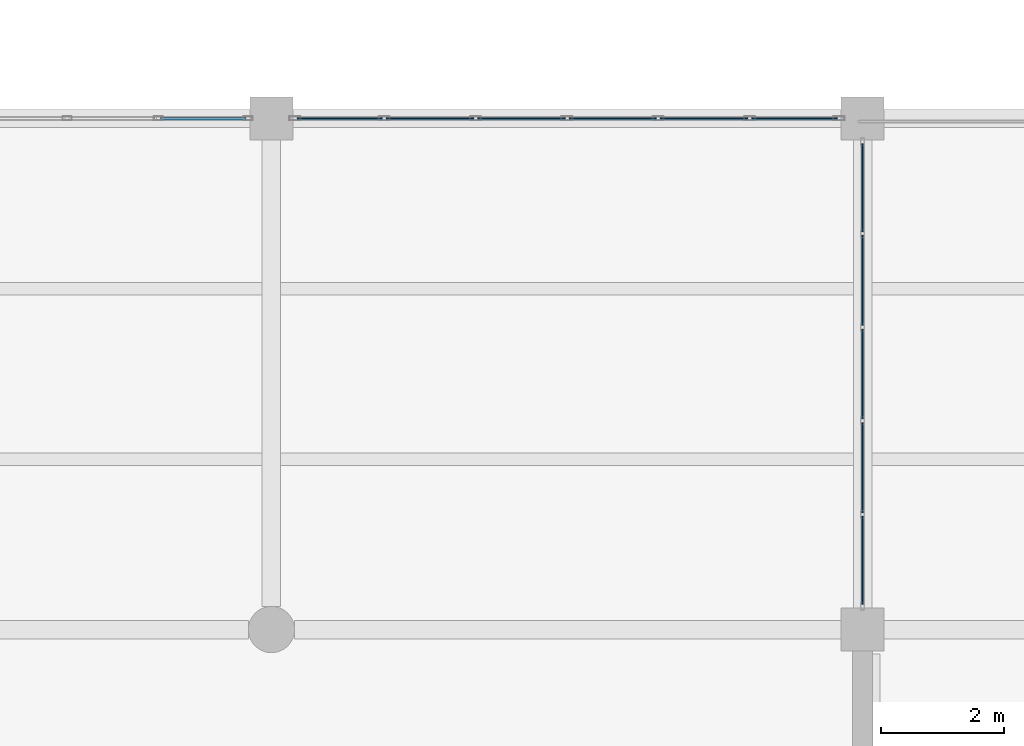
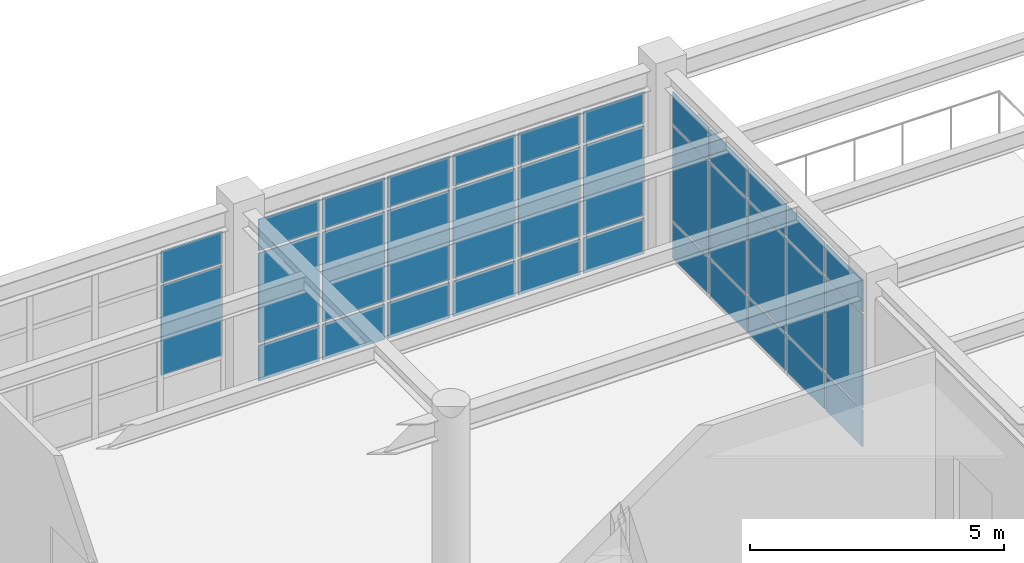
# One storey, part 74 of 98: 35 plates, 3 elements without a shape of their own.
"""IFC4 building model written with IfcOpenShell, lengths in metres."""

from ifc_helpers import new_model, si_unit, direction, frame, origin, origin_2d, place, context, subcontext, project, spatial, rectangle, extrude, material, layer, layer_set, type_object, element, aggregate, save


model = new_model("IFC4")

# Units and contexts
model_context = context("Model", 3, precision=1e-05, world=origin(), true_north=direction((0.0, 1.0)))
body_context = subcontext(model_context, "Body", "Model", "MODEL_VIEW")
ifc_project = project(units=[si_unit("LENGTHUNIT", "METRE"), si_unit("AREAUNIT", "SQUARE_METRE"), si_unit("VOLUMEUNIT", "CUBIC_METRE"), si_unit("PLANEANGLEUNIT", "RADIAN"), si_unit("MASSUNIT", "GRAM", prefix="KILO")], contexts=[model_context])

# Site, building, storey
site_placement = place(None, origin())
site = spatial("IfcSite", under=ifc_project, at=site_placement, CompositionType="ELEMENT")
building_placement = place(site_placement, origin())
building = spatial("IfcBuilding", under=site, at=building_placement, Name="Canglan Escarpment Cableway Terminal", CompositionType="ELEMENT")
storey_placement = place(building_placement, frame((0.0, 0.0, 9.60009765625)))
storey = spatial("IfcBuildingStorey", under=building, at=storey_placement, Name="L02", CompositionType="ELEMENT", Elevation=9.60009765625)

# Curtain wall, plates
ifc_material_1 = material(Name="Anodized bronze aluminium and Low-E double glazing", Category="aluminium")
curtain_wall_type_1 = type_object("IfcCurtainWallType", Name="CW-BAY-8900x4025", PredefinedType="NOTDEFINED", material=ifc_material_1)
curtain_wall_1_placement = place(storey_placement, origin())
curtain_wall_1 = element("IfcCurtainWall", 1, at=curtain_wall_1_placement, inside=storey, type_object=curtain_wall_type_1, Name="Classical bay-between-piers glazed curtain wall CW-28", PredefinedType="NOTDEFINED")
ifc_material_2 = material(Name="Double-silver Low-E laminated insulating glass", Category="glass")
ifc_layer_1 = layer(ifc_material_2, 0.02392578125, Name="Double-silver Low-E laminated insulating glass")
ifc_layer_set_1 = layer_set([ifc_layer_1], Name="Double-silver Low-E laminated insulating glass")
plate_type_1 = type_object("IfcPlateType", Name="CWP-01", PredefinedType="CURTAIN_PANEL", material=ifc_layer_set_1)
plate_1_placement = place(storey_placement, frame((165.2919921875, 33.10009765625, 0.06494140625), z_axis=(0.0, 0.0, 1.0), x_axis=(-1.0, 0.0, 0.0)))
plate_1 = element("IfcPlate", 2, at=plate_1_placement, type_object=plate_type_1, Name="CW-28 panel 1.1", PredefinedType="CURTAIN_PANEL", context=body_context, shape_type="SweptSolid", body=[
    extrude(rectangle(XDim=1.3857421875, YDim=0.02392578125, at=origin_2d()), origin(), (0.0, 0.0, 1.0), 0.8525390625),
])
plate_2_placement = place(storey_placement, frame((165.2919921875, 33.10009765625, 0.982421875), z_axis=(0.0, 0.0, 1.0), x_axis=(-1.0, 0.0, 0.0)))
plate_2 = element("IfcPlate", 3, at=plate_2_placement, type_object=plate_type_1, Name="CW-28 panel 1.2", PredefinedType="CURTAIN_PANEL", context=body_context, shape_type="SweptSolid", body=[
    extrude(rectangle(XDim=1.3857421875, YDim=0.02392578125, at=origin_2d()), origin(), (0.0, 0.0, 1.0), 2.152099609375),
])
plate_3_placement = place(storey_placement, frame((165.2919921875, 33.10009765625, 3.199462890625), z_axis=(0.0, 0.0, 1.0), x_axis=(-1.0, 0.0, 0.0)))
plate_3 = element("IfcPlate", 4, at=plate_3_placement, type_object=plate_type_1, Name="CW-28 panel 1.3", PredefinedType="CURTAIN_PANEL", context=body_context, shape_type="SweptSolid", body=[
    extrude(rectangle(XDim=1.3857421875, YDim=0.02392578125, at=origin_2d()), origin(), (0.0, 0.0, 1.0), 0.75244140625),
])
plate_4_placement = place(storey_placement, frame((163.824951171875, 33.10009765625, 0.06494140625), z_axis=(0.0, 0.0, 1.0), x_axis=(-1.0, 0.0, 0.0)))
plate_4 = element("IfcPlate", 5, at=plate_4_placement, type_object=plate_type_1, Name="CW-28 panel 2.1", PredefinedType="CURTAIN_PANEL", context=body_context, shape_type="SweptSolid", body=[
    extrude(rectangle(XDim=1.418212890625, YDim=0.02392578125, at=origin_2d()), origin(), (0.0, 0.0, 1.0), 0.8525390625),
])
plate_5_placement = place(storey_placement, frame((163.824951171875, 33.10009765625, 0.982421875), z_axis=(0.0, 0.0, 1.0), x_axis=(-1.0, 0.0, 0.0)))
plate_5 = element("IfcPlate", 6, at=plate_5_placement, type_object=plate_type_1, Name="CW-28 panel 2.2", PredefinedType="CURTAIN_PANEL", context=body_context, shape_type="SweptSolid", body=[
    extrude(rectangle(XDim=1.418212890625, YDim=0.02392578125, at=origin_2d()), origin(), (0.0, 0.0, 1.0), 2.152099609375),
])
plate_6_placement = place(storey_placement, frame((163.824951171875, 33.10009765625, 3.199462890625), z_axis=(0.0, 0.0, 1.0), x_axis=(-1.0, 0.0, 0.0)))
plate_6 = element("IfcPlate", 7, at=plate_6_placement, type_object=plate_type_1, Name="CW-28 panel 2.3", PredefinedType="CURTAIN_PANEL", context=body_context, shape_type="SweptSolid", body=[
    extrude(rectangle(XDim=1.418212890625, YDim=0.02392578125, at=origin_2d()), origin(), (0.0, 0.0, 1.0), 0.75244140625),
])
plate_7_placement = place(storey_placement, frame((162.341552734375, 33.10009765625, 0.06494140625), z_axis=(0.0, 0.0, 1.0), x_axis=(-1.0, 0.0, 0.0)))
plate_7 = element("IfcPlate", 8, at=plate_7_placement, type_object=plate_type_1, Name="CW-28 panel 3.1", PredefinedType="CURTAIN_PANEL", context=body_context, shape_type="SweptSolid", body=[
    extrude(rectangle(XDim=1.418212890625, YDim=0.02392578125, at=origin_2d()), origin(), (0.0, 0.0, 1.0), 0.8525390625),
])
plate_8_placement = place(storey_placement, frame((162.341552734375, 33.10009765625, 0.982421875), z_axis=(0.0, 0.0, 1.0), x_axis=(-1.0, 0.0, 0.0)))
plate_8 = element("IfcPlate", 9, at=plate_8_placement, type_object=plate_type_1, Name="CW-28 panel 3.2", PredefinedType="CURTAIN_PANEL", context=body_context, shape_type="SweptSolid", body=[
    extrude(rectangle(XDim=1.418212890625, YDim=0.02392578125, at=origin_2d()), origin(), (0.0, 0.0, 1.0), 2.152099609375),
])
plate_9_placement = place(storey_placement, frame((162.341552734375, 33.10009765625, 3.199462890625), z_axis=(0.0, 0.0, 1.0), x_axis=(-1.0, 0.0, 0.0)))
plate_9 = element("IfcPlate", 10, at=plate_9_placement, type_object=plate_type_1, Name="CW-28 panel 3.3", PredefinedType="CURTAIN_PANEL", context=body_context, shape_type="SweptSolid", body=[
    extrude(rectangle(XDim=1.418212890625, YDim=0.02392578125, at=origin_2d()), origin(), (0.0, 0.0, 1.0), 0.75244140625),
])
plate_10_placement = place(storey_placement, frame((160.8583984375, 33.10009765625, 0.06494140625), z_axis=(0.0, 0.0, 1.0), x_axis=(-1.0, 0.0, 0.0)))
plate_10 = element("IfcPlate", 11, at=plate_10_placement, type_object=plate_type_1, Name="CW-28 panel 4.1", PredefinedType="CURTAIN_PANEL", context=body_context, shape_type="SweptSolid", body=[
    extrude(rectangle(XDim=1.418212890625, YDim=0.02392578125, at=origin_2d()), origin(), (0.0, 0.0, 1.0), 0.8525390625),
])
plate_11_placement = place(storey_placement, frame((160.8583984375, 33.10009765625, 0.982421875), z_axis=(0.0, 0.0, 1.0), x_axis=(-1.0, 0.0, 0.0)))
plate_11 = element("IfcPlate", 12, at=plate_11_placement, type_object=plate_type_1, Name="CW-28 panel 4.2", PredefinedType="CURTAIN_PANEL", context=body_context, shape_type="SweptSolid", body=[
    extrude(rectangle(XDim=1.418212890625, YDim=0.02392578125, at=origin_2d()), origin(), (0.0, 0.0, 1.0), 2.152099609375),
])
plate_12_placement = place(storey_placement, frame((160.8583984375, 33.10009765625, 3.199462890625), z_axis=(0.0, 0.0, 1.0), x_axis=(-1.0, 0.0, 0.0)))
plate_12 = element("IfcPlate", 13, at=plate_12_placement, type_object=plate_type_1, Name="CW-28 panel 4.3", PredefinedType="CURTAIN_PANEL", context=body_context, shape_type="SweptSolid", body=[
    extrude(rectangle(XDim=1.418212890625, YDim=0.02392578125, at=origin_2d()), origin(), (0.0, 0.0, 1.0), 0.75244140625),
])
plate_13_placement = place(storey_placement, frame((159.375, 33.10009765625, 0.06494140625), z_axis=(0.0, 0.0, 1.0), x_axis=(-1.0, 0.0, 0.0)))
plate_13 = element("IfcPlate", 14, at=plate_13_placement, type_object=plate_type_1, Name="CW-28 panel 5.1", PredefinedType="CURTAIN_PANEL", context=body_context, shape_type="SweptSolid", body=[
    extrude(rectangle(XDim=1.418212890625, YDim=0.02392578125, at=origin_2d()), origin(), (0.0, 0.0, 1.0), 0.8525390625),
])
plate_14_placement = place(storey_placement, frame((159.375, 33.10009765625, 0.982421875), z_axis=(0.0, 0.0, 1.0), x_axis=(-1.0, 0.0, 0.0)))
plate_14 = element("IfcPlate", 15, at=plate_14_placement, type_object=plate_type_1, Name="CW-28 panel 5.2", PredefinedType="CURTAIN_PANEL", context=body_context, shape_type="SweptSolid", body=[
    extrude(rectangle(XDim=1.418212890625, YDim=0.02392578125, at=origin_2d()), origin(), (0.0, 0.0, 1.0), 2.152099609375),
])
plate_15_placement = place(storey_placement, frame((159.375, 33.10009765625, 3.199462890625), z_axis=(0.0, 0.0, 1.0), x_axis=(-1.0, 0.0, 0.0)))
plate_15 = element("IfcPlate", 16, at=plate_15_placement, type_object=plate_type_1, Name="CW-28 panel 5.3", PredefinedType="CURTAIN_PANEL", context=body_context, shape_type="SweptSolid", body=[
    extrude(rectangle(XDim=1.418212890625, YDim=0.02392578125, at=origin_2d()), origin(), (0.0, 0.0, 1.0), 0.75244140625),
])
plate_16_placement = place(storey_placement, frame((157.907958984375, 33.10009765625, 0.06494140625), z_axis=(0.0, 0.0, 1.0), x_axis=(-1.0, 0.0, 0.0)))
plate_16 = element("IfcPlate", 17, at=plate_16_placement, type_object=plate_type_1, Name="CW-28 panel 6.1", PredefinedType="CURTAIN_PANEL", context=body_context, shape_type="SweptSolid", body=[
    extrude(rectangle(XDim=1.3857421875, YDim=0.02392578125, at=origin_2d()), origin(), (0.0, 0.0, 1.0), 0.8525390625),
])
plate_17_placement = place(storey_placement, frame((157.907958984375, 33.10009765625, 0.982421875), z_axis=(0.0, 0.0, 1.0), x_axis=(-1.0, 0.0, 0.0)))
plate_17 = element("IfcPlate", 18, at=plate_17_placement, type_object=plate_type_1, Name="CW-28 panel 6.2", PredefinedType="CURTAIN_PANEL", context=body_context, shape_type="SweptSolid", body=[
    extrude(rectangle(XDim=1.3857421875, YDim=0.02392578125, at=origin_2d()), origin(), (0.0, 0.0, 1.0), 2.152099609375),
])
plate_18_placement = place(storey_placement, frame((157.907958984375, 33.10009765625, 3.199462890625), z_axis=(0.0, 0.0, 1.0), x_axis=(-1.0, 0.0, 0.0)))
plate_18 = element("IfcPlate", 19, at=plate_18_placement, type_object=plate_type_1, Name="CW-28 panel 6.3", PredefinedType="CURTAIN_PANEL", context=body_context, shape_type="SweptSolid", body=[
    extrude(rectangle(XDim=1.3857421875, YDim=0.02392578125, at=origin_2d()), origin(), (0.0, 0.0, 1.0), 0.75244140625),
])
aggregate(curtain_wall_1, [plate_1, plate_2, plate_3, plate_4, plate_5, plate_6, plate_7, plate_8, plate_9, plate_10, plate_11, plate_12, plate_13, plate_14, plate_15, plate_16, plate_17, plate_18])

curtain_wall_type_2 = type_object("IfcCurtainWallType", Name="CW-BAY-7600x4125", PredefinedType="NOTDEFINED", material=ifc_material_1)
curtain_wall_2_placement = place(storey_placement, origin())
curtain_wall_2 = element("IfcCurtainWall", 20, at=curtain_wall_2_placement, inside=storey, type_object=curtain_wall_type_2, Name="Classical bay-between-piers glazed curtain wall CW-23", PredefinedType="NOTDEFINED")
ifc_layer_2 = layer(ifc_material_2, 0.028076171875, Name="Double-silver Low-E laminated insulating glass")
ifc_layer_set_2 = layer_set([ifc_layer_2], Name="Double-silver Low-E laminated insulating glass")
plate_type_2 = type_object("IfcPlateType", Name="CWP-02", PredefinedType="CURTAIN_PANEL", material=ifc_layer_set_2)
plate_19_placement = place(storey_placement, frame((166.39990234375, 25.925048828125, 0.05517578125), z_axis=(0.0, 0.0, 1.0), x_axis=(0.0, 1.0, 0.0)))
plate_19 = element("IfcPlate", 21, at=plate_19_placement, type_object=plate_type_2, Name="CW-23 panel 1.1", PredefinedType="CURTAIN_PANEL", context=body_context, shape_type="SweptSolid", body=[
    extrude(rectangle(XDim=1.429931640625, YDim=0.028076171875, at=origin_2d()), origin(), (0.0, 0.0, 1.0), 0.867431640625),
])
plate_20_placement = place(storey_placement, frame((166.39990234375, 25.925048828125, 0.9775390625), z_axis=(0.0, 0.0, 1.0), x_axis=(0.0, 1.0, 0.0)))
plate_20 = element("IfcPlate", 22, at=plate_20_placement, type_object=plate_type_2, Name="CW-23 panel 1.2", PredefinedType="CURTAIN_PANEL", context=body_context, shape_type="SweptSolid", body=[
    extrude(rectangle(XDim=1.429931640625, YDim=0.028076171875, at=origin_2d()), origin(), (0.0, 0.0, 1.0), 2.260009765625),
])
plate_21_placement = place(storey_placement, frame((166.39990234375, 25.925048828125, 3.29248046875), z_axis=(0.0, 0.0, 1.0), x_axis=(0.0, 1.0, 0.0)))
plate_21 = element("IfcPlate", 23, at=plate_21_placement, type_object=plate_type_2, Name="CW-23 panel 1.3", PredefinedType="CURTAIN_PANEL", context=body_context, shape_type="SweptSolid", body=[
    extrude(rectangle(XDim=1.429931640625, YDim=0.028076171875, at=origin_2d()), origin(), (0.0, 0.0, 1.0), 0.767578125),
])
plate_22_placement = place(storey_placement, frame((166.39990234375, 27.429931640625, 0.05517578125), z_axis=(0.0, 0.0, 1.0), x_axis=(0.0, 1.0, 0.0)))
plate_22 = element("IfcPlate", 24, at=plate_22_placement, type_object=plate_type_2, Name="CW-23 panel 2.1", PredefinedType="CURTAIN_PANEL", context=body_context, shape_type="SweptSolid", body=[
    extrude(rectangle(XDim=1.4599609375, YDim=0.028076171875, at=origin_2d()), origin(), (0.0, 0.0, 1.0), 0.867431640625),
])
plate_23_placement = place(storey_placement, frame((166.39990234375, 27.429931640625, 0.9775390625), z_axis=(0.0, 0.0, 1.0), x_axis=(0.0, 1.0, 0.0)))
plate_23 = element("IfcPlate", 25, at=plate_23_placement, type_object=plate_type_2, Name="CW-23 panel 2.2", PredefinedType="CURTAIN_PANEL", context=body_context, shape_type="SweptSolid", body=[
    extrude(rectangle(XDim=1.4599609375, YDim=0.028076171875, at=origin_2d()), origin(), (0.0, 0.0, 1.0), 2.260009765625),
])
plate_24_placement = place(storey_placement, frame((166.39990234375, 27.429931640625, 3.29248046875), z_axis=(0.0, 0.0, 1.0), x_axis=(0.0, 1.0, 0.0)))
plate_24 = element("IfcPlate", 26, at=plate_24_placement, type_object=plate_type_2, Name="CW-23 panel 2.3", PredefinedType="CURTAIN_PANEL", context=body_context, shape_type="SweptSolid", body=[
    extrude(rectangle(XDim=1.4599609375, YDim=0.028076171875, at=origin_2d()), origin(), (0.0, 0.0, 1.0), 0.767578125),
])
plate_25_placement = place(storey_placement, frame((166.39990234375, 28.949951171875, 0.05517578125), z_axis=(0.0, 0.0, 1.0), x_axis=(0.0, 1.0, 0.0)))
plate_25 = element("IfcPlate", 27, at=plate_25_placement, type_object=plate_type_2, Name="CW-23 panel 3.1", PredefinedType="CURTAIN_PANEL", context=body_context, shape_type="SweptSolid", body=[
    extrude(rectangle(XDim=1.4599609375, YDim=0.028076171875, at=origin_2d()), origin(), (0.0, 0.0, 1.0), 0.867431640625),
])
plate_26_placement = place(storey_placement, frame((166.39990234375, 28.949951171875, 0.9775390625), z_axis=(0.0, 0.0, 1.0), x_axis=(0.0, 1.0, 0.0)))
plate_26 = element("IfcPlate", 28, at=plate_26_placement, type_object=plate_type_2, Name="CW-23 panel 3.2", PredefinedType="CURTAIN_PANEL", context=body_context, shape_type="SweptSolid", body=[
    extrude(rectangle(XDim=1.4599609375, YDim=0.028076171875, at=origin_2d()), origin(), (0.0, 0.0, 1.0), 2.260009765625),
])
plate_27_placement = place(storey_placement, frame((166.39990234375, 28.949951171875, 3.29248046875), z_axis=(0.0, 0.0, 1.0), x_axis=(0.0, 1.0, 0.0)))
plate_27 = element("IfcPlate", 29, at=plate_27_placement, type_object=plate_type_2, Name="CW-23 panel 3.3", PredefinedType="CURTAIN_PANEL", context=body_context, shape_type="SweptSolid", body=[
    extrude(rectangle(XDim=1.4599609375, YDim=0.028076171875, at=origin_2d()), origin(), (0.0, 0.0, 1.0), 0.767578125),
])
plate_28_placement = place(storey_placement, frame((166.39990234375, 30.469970703125, 0.05517578125), z_axis=(0.0, 0.0, 1.0), x_axis=(0.0, 1.0, 0.0)))
plate_28 = element("IfcPlate", 30, at=plate_28_placement, type_object=plate_type_2, Name="CW-23 panel 4.1", PredefinedType="CURTAIN_PANEL", context=body_context, shape_type="SweptSolid", body=[
    extrude(rectangle(XDim=1.4599609375, YDim=0.028076171875, at=origin_2d()), origin(), (0.0, 0.0, 1.0), 0.867431640625),
])
plate_29_placement = place(storey_placement, frame((166.39990234375, 30.469970703125, 0.9775390625), z_axis=(0.0, 0.0, 1.0), x_axis=(0.0, 1.0, 0.0)))
plate_29 = element("IfcPlate", 31, at=plate_29_placement, type_object=plate_type_2, Name="CW-23 panel 4.2", PredefinedType="CURTAIN_PANEL", context=body_context, shape_type="SweptSolid", body=[
    extrude(rectangle(XDim=1.4599609375, YDim=0.028076171875, at=origin_2d()), origin(), (0.0, 0.0, 1.0), 2.260009765625),
])
plate_30_placement = place(storey_placement, frame((166.39990234375, 30.469970703125, 3.29248046875), z_axis=(0.0, 0.0, 1.0), x_axis=(0.0, 1.0, 0.0)))
plate_30 = element("IfcPlate", 32, at=plate_30_placement, type_object=plate_type_2, Name="CW-23 panel 4.3", PredefinedType="CURTAIN_PANEL", context=body_context, shape_type="SweptSolid", body=[
    extrude(rectangle(XDim=1.4599609375, YDim=0.028076171875, at=origin_2d()), origin(), (0.0, 0.0, 1.0), 0.767578125),
])
plate_31_placement = place(storey_placement, frame((166.39990234375, 31.97509765625, 0.05517578125), z_axis=(0.0, 0.0, 1.0), x_axis=(0.0, 1.0, 0.0)))
plate_31 = element("IfcPlate", 33, at=plate_31_placement, type_object=plate_type_2, Name="CW-23 panel 5.1", PredefinedType="CURTAIN_PANEL", context=body_context, shape_type="SweptSolid", body=[
    extrude(rectangle(XDim=1.429931640625, YDim=0.028076171875, at=origin_2d()), origin(), (0.0, 0.0, 1.0), 0.867431640625),
])
plate_32_placement = place(storey_placement, frame((166.39990234375, 31.97509765625, 0.9775390625), z_axis=(0.0, 0.0, 1.0), x_axis=(0.0, 1.0, 0.0)))
plate_32 = element("IfcPlate", 34, at=plate_32_placement, type_object=plate_type_2, Name="CW-23 panel 5.2", PredefinedType="CURTAIN_PANEL", context=body_context, shape_type="SweptSolid", body=[
    extrude(rectangle(XDim=1.429931640625, YDim=0.028076171875, at=origin_2d()), origin(), (0.0, 0.0, 1.0), 2.260009765625),
])
plate_33_placement = place(storey_placement, frame((166.39990234375, 31.97509765625, 3.29248046875), z_axis=(0.0, 0.0, 1.0), x_axis=(0.0, 1.0, 0.0)))
plate_33 = element("IfcPlate", 35, at=plate_33_placement, type_object=plate_type_2, Name="CW-23 panel 5.3", PredefinedType="CURTAIN_PANEL", context=body_context, shape_type="SweptSolid", body=[
    extrude(rectangle(XDim=1.429931640625, YDim=0.028076171875, at=origin_2d()), origin(), (0.0, 0.0, 1.0), 0.767578125),
])
aggregate(curtain_wall_2, [plate_19, plate_20, plate_21, plate_22, plate_23, plate_24, plate_25, plate_26, plate_27, plate_28, plate_29, plate_30, plate_31, plate_32, plate_33])

curtain_wall_3_placement = place(storey_placement, origin())
curtain_wall_3 = element("IfcCurtainWall", 36, at=curtain_wall_3_placement, inside=storey, type_object=curtain_wall_type_1, Name="Classical bay-between-piers glazed curtain wall CW-28", PredefinedType="NOTDEFINED")
ifc_layer_3 = layer(ifc_material_2, 0.035888671875, Name="Double-silver Low-E laminated insulating glass")
ifc_layer_set_3 = layer_set([ifc_layer_3], Name="Double-silver Low-E laminated insulating glass")
plate_type_3 = type_object("IfcPlateType", Name="CWP-04", PredefinedType="CURTAIN_PANEL", material=ifc_layer_set_3)
plate_34_placement = place(storey_placement, frame((155.692138671875, 33.10009765625, 0.97998046875), z_axis=(0.0, 0.0, 1.0), x_axis=(-1.0, 0.0, 0.0)))
plate_34 = element("IfcPlate", 37, at=plate_34_placement, type_object=plate_type_3, Name="CW-28 panel 1.2", PredefinedType="CURTAIN_PANEL", context=body_context, shape_type="SweptSolid", body=[
    extrude(rectangle(XDim=1.3857421875, YDim=0.035888671875, at=origin_2d()), origin(), (0.0, 0.0, 1.0), 2.156982421875),
])
plate_35_placement = place(storey_placement, frame((155.692138671875, 33.10009765625, 3.19677734375), z_axis=(0.0, 0.0, 1.0), x_axis=(-1.0, 0.0, 0.0)))
plate_35 = element("IfcPlate", 38, at=plate_35_placement, type_object=plate_type_3, Name="CW-28 panel 1.3", PredefinedType="CURTAIN_PANEL", context=body_context, shape_type="SweptSolid", body=[
    extrude(rectangle(XDim=1.3857421875, YDim=0.035888671875, at=origin_2d()), origin(), (0.0, 0.0, 1.0), 0.760009765625),
])
aggregate(curtain_wall_3, [plate_34, plate_35])

save(model, "model.ifc")
